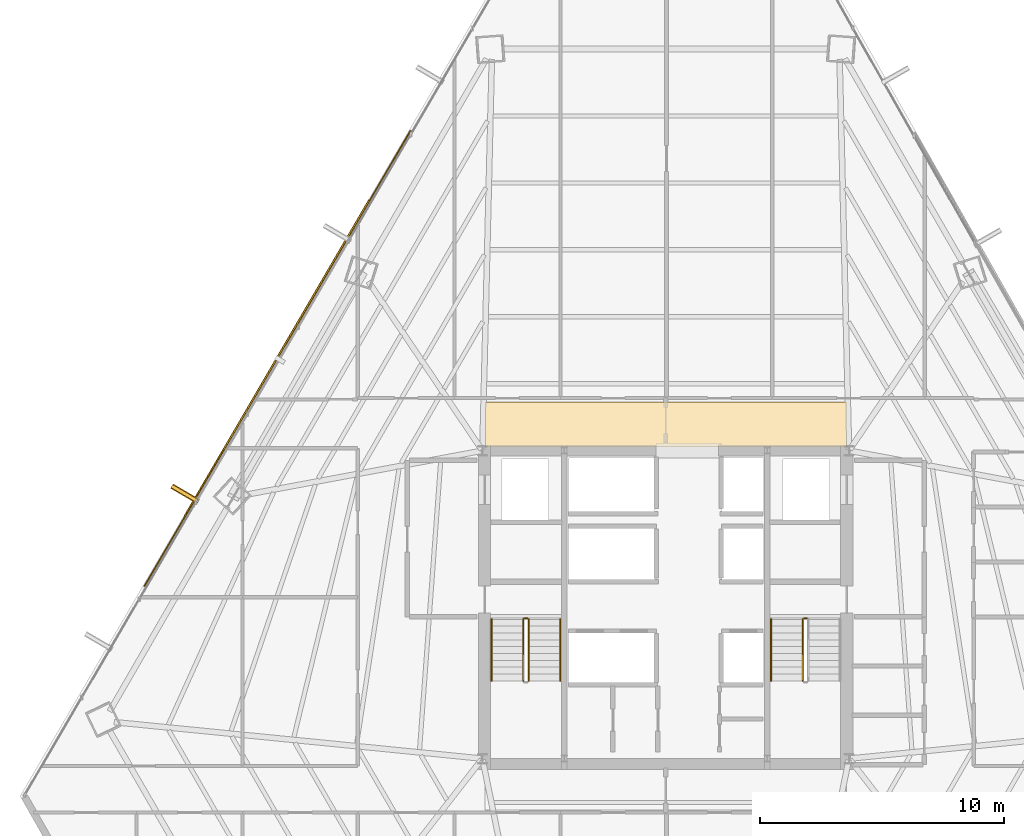
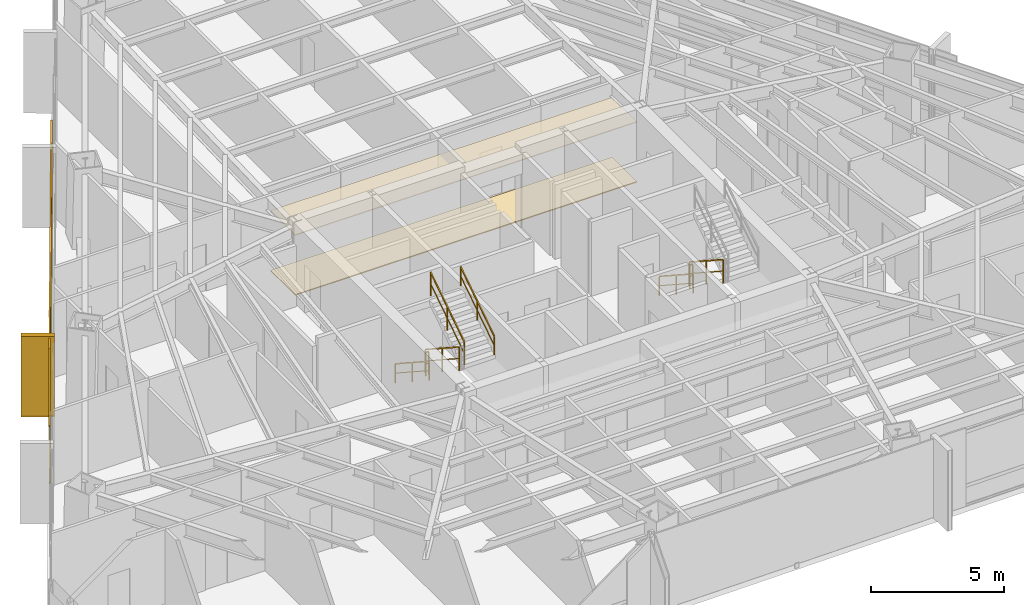
# One storey, part 36 of 37: 8 railings, 4 coverings, 2 shading devices.
"""IFC4 building model written with IfcOpenShell, lengths in metres."""

from ifc_helpers import new_model, si_unit, direction, frame, origin, origin_2d, place, context, subcontext, project, spatial, polyline, rectangle, outline, extrude, source, transform, mapped, material, layer, layer_set, type_object, type_shapes, element, save


model = new_model("IFC4")

# Units and contexts
model_context = context("Model", 3, precision=1e-05, world=origin(), true_north=direction((0.0, 1.0)))
body_context = subcontext(model_context, "Body", "Model", "MODEL_VIEW")
ifc_project = project(units=[si_unit("LENGTHUNIT", "METRE"), si_unit("AREAUNIT", "SQUARE_METRE"), si_unit("VOLUMEUNIT", "CUBIC_METRE"), si_unit("PLANEANGLEUNIT", "RADIAN"), si_unit("MASSUNIT", "GRAM", prefix="KILO")], contexts=[model_context])

# Site, building, storey
site_placement = place(None, origin())
site = spatial("IfcSite", under=ifc_project, at=site_placement, CompositionType="ELEMENT")
building_placement = place(site_placement, origin())
building = spatial("IfcBuilding", under=site, at=building_placement, Name="Caelisora Broadcast Tower", CompositionType="ELEMENT")
storey_placement = place(building_placement, frame((0.0, 0.0, 116.35009765625)))
storey = spatial("IfcBuildingStorey", under=building, at=storey_placement, Name="L30", CompositionType="ELEMENT", Elevation=116.35009765625)

# Coverings
ifc_material_1 = material(Name="Perforated Mineral-Fibre Acoustic Ceiling Tile", Category="gypsum")
ifc_layer_1 = layer(ifc_material_1, 0.034912109375, Name="Perforated Mineral-Fibre Acoustic Ceiling Tile")
ifc_layer_set_1 = layer_set([ifc_layer_1], Name="Perforated Mineral-Fibre Acoustic Ceiling Tile")
covering_type_1 = type_object("IfcCoveringType", Name="CE-1", PredefinedType="CEILING", material=ifc_layer_set_1)
covering_1_placement = place(storey_placement, frame((0.0, 0.0, 2.75)))
element("IfcCovering", 1, at=covering_1_placement, inside=storey, type_object=covering_type_1, Name="L30 acoustic corridor ceiling CE-1 (N)", PredefinedType="CEILING", context=body_context, shape_type="SweptSolid", body=[
    extrude(outline(polyline([(30.60009765625, 30.14990234375), (45.39990234375, 30.14990234375), (45.39990234375, 32.0), (30.60009765625, 32.0), (30.60009765625, 30.14990234375)])), origin(), (0.0, 0.0, 1.0), 0.034912109375),
])
ifc_material_2 = material(Name="Anti-Static Broadcast Raised Access Floor Panel", Category="steel")
ifc_layer_2 = layer(ifc_material_2, 0.044921875, Name="Anti-Static Broadcast Raised Access Floor Panel")
ifc_layer_set_2 = layer_set([ifc_layer_2], Name="Anti-Static Broadcast Raised Access Floor Panel")
covering_type_2 = type_object("IfcCoveringType", Name="FL-1", PredefinedType="FLOORING", material=ifc_layer_set_2)
covering_2_placement = place(storey_placement, origin())
element("IfcCovering", 2, at=covering_2_placement, inside=storey, type_object=covering_type_2, Name="L30 broadcast raised access floor FL-1 (N)", PredefinedType="FLOORING", context=body_context, shape_type="SweptSolid", body=[
    extrude(outline(polyline([(30.60009765625, 30.14990234375), (45.39990234375, 30.14990234375), (45.39990234375, 32.0), (30.60009765625, 32.0), (30.60009765625, 30.14990234375)])), origin(), (0.0, 0.0, 1.0), 0.044921875),
])

# Railings
ifc_material_3 = material(Name="Galvanised Steel Safety Guardrail", Category="steel")
ifc_layer_3 = layer(ifc_material_3, 0.048095703125, Name="Galvanised Steel Safety Guardrail")
ifc_layer_set_3 = layer_set([ifc_layer_3], Name="Galvanised Steel Safety Guardrail")
railing_type_1 = type_object("IfcRailingType", Name="GR-1", PredefinedType="GUARDRAIL", material=ifc_layer_set_3)
railing_1_placement = place(storey_placement, frame((32.169921875, 23.10009765625, 0.182373046875)))
element("IfcRailing", 3, at=railing_1_placement, inside=storey, type_object=railing_type_1, Name="L30 ST-1 stair guard 1", PredefinedType="GUARDRAIL", context=body_context, shape_type="SweptSolid", body=[
    extrude(rectangle(XDim=0.048095703125, YDim=0.048095703125, at=origin_2d()), frame((0.0, 0.0, 1.076171875), z_axis=(0.0, -0.837749427056, 0.546054848405), x_axis=(1.0, 0.0, 0.0)), (0.0, 0.0, 1.0), 3.008056640625),
    extrude(rectangle(XDim=0.03125, YDim=0.03125, at=origin_2d()), frame((0.0, 0.0, 0.550048828125), z_axis=(0.0, -0.837749427056, 0.546054848405), x_axis=(1.0, 0.0, 0.0)), (0.0, 0.0, 1.0), 3.008056640625),
    extrude(rectangle(XDim=0.0419921875, YDim=0.0419921875, at=origin_2d()), origin(), (0.0, 0.0, 1.0), 1.052001953125),
    extrude(rectangle(XDim=0.0419921875, YDim=0.0419921875, at=origin_2d()), frame((0.0, -1.260009765625, 0.8212890625)), (0.0, 0.0, 1.0), 1.052001953125),
    extrude(rectangle(XDim=0.0419921875, YDim=0.0419921875, at=origin_2d()), frame((0.0, -2.52001953125, 1.642578125)), (0.0, 0.0, 1.0), 1.052001953125),
])
railing_2_placement = place(storey_placement, frame((32.389892578125, 20.580078125, 2.00732421875)))
element("IfcRailing", 4, at=railing_2_placement, inside=storey, type_object=railing_type_1, Name="L30 ST-1 stair guard 3", PredefinedType="GUARDRAIL", context=body_context, shape_type="SweptSolid", body=[
    extrude(rectangle(XDim=0.048095703125, YDim=0.048095703125, at=origin_2d()), frame((0.0, 0.0, 1.076171875), z_axis=(0.0, 0.837749427056, 0.546054848405), x_axis=(-1.0, 0.0, 0.0)), (0.0, 0.0, 1.0), 3.008056640625),
    extrude(rectangle(XDim=0.03125, YDim=0.03125, at=origin_2d()), frame((0.0, 0.0, 0.550048828125), z_axis=(0.0, 0.837749427056, 0.546054848405), x_axis=(-1.0, 0.0, 0.0)), (0.0, 0.0, 1.0), 3.008056640625),
    extrude(rectangle(XDim=0.0419921875, YDim=0.0419921875, at=origin_2d()), origin(), (0.0, 0.0, 1.0), 1.052001953125),
    extrude(rectangle(XDim=0.0419921875, YDim=0.0419921875, at=origin_2d()), frame((0.0, 1.260009765625, 0.8212890625)), (0.0, 0.0, 1.0), 1.052001953125),
    extrude(rectangle(XDim=0.0419921875, YDim=0.0419921875, at=origin_2d()), frame((0.0, 2.52001953125, 1.642578125)), (0.0, 0.0, 1.0), 1.052001953125),
])
railing_3_placement = place(storey_placement, frame((32.219970703125, 23.14990234375, 0.0)))
element("IfcRailing", 5, at=railing_3_placement, inside=storey, type_object=railing_type_1, Name="L30 ST-1 stair guard 4", PredefinedType="GUARDRAIL", context=body_context, shape_type="SweptSolid", body=[
    extrude(rectangle(XDim=0.048095703125, YDim=0.048095703125, at=origin_2d()), frame((0.0, 0.0, 1.076171875), z_axis=(1.0, 0.0, 0.0), x_axis=(0.0, 1.0, 0.0)), (0.0, 0.0, 1.0), 0.1201171875),
    extrude(rectangle(XDim=0.03125, YDim=0.03125, at=origin_2d()), frame((0.0, 0.0, 0.550048828125), z_axis=(1.0, 0.0, 0.0), x_axis=(0.0, 1.0, 0.0)), (0.0, 0.0, 1.0), 0.1201171875),
    extrude(rectangle(XDim=0.0419921875, YDim=0.0419921875, at=origin_2d()), origin(), (0.0, 0.0, 1.0), 1.052001953125),
    extrude(rectangle(XDim=0.0419921875, YDim=0.0419921875, at=origin_2d()), frame((0.1201171875, 0.0, 0.0)), (0.0, 0.0, 1.0), 1.052001953125),
])
railing_4_placement = place(storey_placement, frame((43.610107421875, 23.10009765625, 0.182373046875)))
element("IfcRailing", 6, at=railing_4_placement, inside=storey, type_object=railing_type_1, Name="L30 ST-2 stair guard 1", PredefinedType="GUARDRAIL", context=body_context, shape_type="SweptSolid", body=[
    extrude(rectangle(XDim=0.048095703125, YDim=0.048095703125, at=origin_2d()), frame((0.0, 0.0, 1.076171875), z_axis=(0.0, -0.837749427056, 0.546054848405), x_axis=(1.0, 0.0, 0.0)), (0.0, 0.0, 1.0), 3.008056640625),
    extrude(rectangle(XDim=0.03125, YDim=0.03125, at=origin_2d()), frame((0.0, 0.0, 0.550048828125), z_axis=(0.0, -0.837749427056, 0.546054848405), x_axis=(1.0, 0.0, 0.0)), (0.0, 0.0, 1.0), 3.008056640625),
    extrude(rectangle(XDim=0.0419921875, YDim=0.0419921875, at=origin_2d()), origin(), (0.0, 0.0, 1.0), 1.052001953125),
    extrude(rectangle(XDim=0.0419921875, YDim=0.0419921875, at=origin_2d()), frame((0.0, -1.260009765625, 0.8212890625)), (0.0, 0.0, 1.0), 1.052001953125),
    extrude(rectangle(XDim=0.0419921875, YDim=0.0419921875, at=origin_2d()), frame((0.0, -2.52001953125, 1.642578125)), (0.0, 0.0, 1.0), 1.052001953125),
])
railing_5_placement = place(storey_placement, frame((43.659912109375, 23.14990234375, 0.0)))
element("IfcRailing", 7, at=railing_5_placement, inside=storey, type_object=railing_type_1, Name="L30 ST-2 stair guard 4", PredefinedType="GUARDRAIL", context=body_context, shape_type="SweptSolid", body=[
    extrude(rectangle(XDim=0.048095703125, YDim=0.048095703125, at=origin_2d()), frame((0.0, 0.0, 1.076171875), z_axis=(1.0, 0.0, 0.0), x_axis=(0.0, 1.0, 0.0)), (0.0, 0.0, 1.0), 0.1201171875),
    extrude(rectangle(XDim=0.03125, YDim=0.03125, at=origin_2d()), frame((0.0, 0.0, 0.550048828125), z_axis=(1.0, 0.0, 0.0), x_axis=(0.0, 1.0, 0.0)), (0.0, 0.0, 1.0), 0.1201171875),
    extrude(rectangle(XDim=0.0419921875, YDim=0.0419921875, at=origin_2d()), origin(), (0.0, 0.0, 1.0), 1.052001953125),
    extrude(rectangle(XDim=0.0419921875, YDim=0.0419921875, at=origin_2d()), frame((0.1201171875, 0.0, 0.0)), (0.0, 0.0, 1.0), 1.052001953125),
])
ifc_material_4 = material(Name="Stainless Steel Grade 316 Tubular Handrail", Category="steel")
ifc_layer_4 = layer(ifc_material_4, 0.048095703125, Name="Stainless Steel Grade 316 Tubular Handrail")
ifc_layer_set_4 = layer_set([ifc_layer_4], Name="Stainless Steel Grade 316 Tubular Handrail")
railing_type_2 = type_object("IfcRailingType", Name="HR-1", PredefinedType="HANDRAIL", material=ifc_layer_set_4)
railing_6_placement = place(storey_placement, frame((30.8701171875, 23.10009765625, 0.182373046875)))
element("IfcRailing", 8, at=railing_6_placement, inside=storey, type_object=railing_type_2, Name="L30 ST-1 stair handrail 1", PredefinedType="HANDRAIL", context=body_context, shape_type="SweptSolid", body=[
    extrude(rectangle(XDim=0.048095703125, YDim=0.048095703125, at=origin_2d()), frame((0.0, 0.0, 0.8759765625), z_axis=(0.0, -0.837749427056, 0.546054848405), x_axis=(1.0, 0.0, 0.0)), (0.0, 0.0, 1.0), 3.008056640625),
    extrude(rectangle(XDim=0.03125, YDim=0.03125, at=origin_2d()), frame((0.0, 0.0, 0.449951171875), z_axis=(0.0, -0.837749427056, 0.546054848405), x_axis=(1.0, 0.0, 0.0)), (0.0, 0.0, 1.0), 3.008056640625),
    extrude(rectangle(XDim=0.0419921875, YDim=0.0419921875, at=origin_2d()), origin(), (0.0, 0.0, 1.0), 0.851806640625),
    extrude(rectangle(XDim=0.0419921875, YDim=0.0419921875, at=origin_2d()), frame((0.0, -1.260009765625, 0.8212890625)), (0.0, 0.0, 1.0), 0.851806640625),
    extrude(rectangle(XDim=0.0419921875, YDim=0.0419921875, at=origin_2d()), frame((0.0, -2.52001953125, 1.642578125)), (0.0, 0.0, 1.0), 0.851806640625),
])
railing_7_placement = place(storey_placement, frame((33.68994140625, 20.580078125, 2.00732421875)))
element("IfcRailing", 9, at=railing_7_placement, inside=storey, type_object=railing_type_2, Name="L30 ST-1 stair handrail 2", PredefinedType="HANDRAIL", context=body_context, shape_type="SweptSolid", body=[
    extrude(rectangle(XDim=0.048095703125, YDim=0.048095703125, at=origin_2d()), frame((0.0, 0.0, 0.8759765625), z_axis=(0.0, 0.837749427056, 0.546054848405), x_axis=(-1.0, 0.0, 0.0)), (0.0, 0.0, 1.0), 3.008056640625),
    extrude(rectangle(XDim=0.03125, YDim=0.03125, at=origin_2d()), frame((0.0, 0.0, 0.449951171875), z_axis=(0.0, 0.837749427056, 0.546054848405), x_axis=(-1.0, 0.0, 0.0)), (0.0, 0.0, 1.0), 3.008056640625),
    extrude(rectangle(XDim=0.0419921875, YDim=0.0419921875, at=origin_2d()), origin(), (0.0, 0.0, 1.0), 0.851806640625),
    extrude(rectangle(XDim=0.0419921875, YDim=0.0419921875, at=origin_2d()), frame((0.0, 1.260009765625, 0.8212890625)), (0.0, 0.0, 1.0), 0.851806640625),
    extrude(rectangle(XDim=0.0419921875, YDim=0.0419921875, at=origin_2d()), frame((0.0, 2.52001953125, 1.642578125)), (0.0, 0.0, 1.0), 0.851806640625),
])
railing_8_placement = place(storey_placement, frame((42.31005859375, 23.10009765625, 0.182373046875)))
element("IfcRailing", 10, at=railing_8_placement, inside=storey, type_object=railing_type_2, Name="L30 ST-2 stair handrail 1", PredefinedType="HANDRAIL", context=body_context, shape_type="SweptSolid", body=[
    extrude(rectangle(XDim=0.048095703125, YDim=0.048095703125, at=origin_2d()), frame((0.0, 0.0, 0.8759765625), z_axis=(0.0, -0.837749427056, 0.546054848405), x_axis=(1.0, 0.0, 0.0)), (0.0, 0.0, 1.0), 3.008056640625),
    extrude(rectangle(XDim=0.03125, YDim=0.03125, at=origin_2d()), frame((0.0, 0.0, 0.449951171875), z_axis=(0.0, -0.837749427056, 0.546054848405), x_axis=(1.0, 0.0, 0.0)), (0.0, 0.0, 1.0), 3.008056640625),
    extrude(rectangle(XDim=0.0419921875, YDim=0.0419921875, at=origin_2d()), origin(), (0.0, 0.0, 1.0), 0.851806640625),
    extrude(rectangle(XDim=0.0419921875, YDim=0.0419921875, at=origin_2d()), frame((0.0, -1.260009765625, 0.8212890625)), (0.0, 0.0, 1.0), 0.851806640625),
    extrude(rectangle(XDim=0.0419921875, YDim=0.0419921875, at=origin_2d()), frame((0.0, -2.52001953125, 1.642578125)), (0.0, 0.0, 1.0), 0.851806640625),
])

# Covering
ifc_material_5 = material(Name="Kiln-Fired Terracotta Spandrel Rainscreen Cladding", Category="ceramic")
ifc_layer_5 = layer(ifc_material_5, 0.044921875, Name="Kiln-Fired Terracotta Spandrel Rainscreen Cladding")
ifc_layer_set_5 = layer_set([ifc_layer_5], Name="Kiln-Fired Terracotta Spandrel Rainscreen Cladding")
covering_type_3 = type_object("IfcCoveringType", Name="CL-1", PredefinedType="CLADDING", material=ifc_layer_set_5)
shared_shape_1 = source(origin(), body_context, "Body", "SweptSolid", [
    extrude(rectangle(XDim=0.219970703125, YDim=1.25, at=origin_2d()), origin(), (0.0, 0.0, 1.0), 3.68994140625),
])
covering_3_placement = place(storey_placement, frame((18.3310546875, 28.23486328125, -0.02001953125), z_axis=(0.0, 0.0, 1.0), x_axis=(0.504527623815, 0.863395550607, 0.0)))
element("IfcCovering", 11, at=covering_3_placement, inside=storey, type_object=covering_type_3, Name="L30 vertical solar fin cladding #3-2", PredefinedType="CLADDING", context=body_context, shape_type="MappedRepresentation", body=[
    mapped(shared_shape_1, transform((0.0, 0.0, 0.0), scale=1.0)),
])

# Shading devices
ifc_material_6 = material(Name="Extruded Terracotta Flaring Colonnade Fin", Category="ceramic")
ifc_layer_6 = layer(ifc_material_6, 0.139892578125, Name="Extruded Terracotta Flaring Colonnade Fin")
ifc_layer_set_6 = layer_set([ifc_layer_6], Name="Extruded Terracotta Flaring Colonnade Fin")
shading_device_type_1 = type_object("IfcShadingDeviceType", Name="FN-1", PredefinedType="USERDEFINED", material=ifc_layer_set_6)
shared_shape_2 = source(origin(), body_context, "Body", "SweptSolid", [
    extrude(rectangle(XDim=0.139892578125, YDim=1.25, at=origin_2d()), origin(), (0.0, 0.0, 1.0), 3.669921875),
])
type_shapes(shading_device_type_1, [shared_shape_2])
shading_device_1_placement = place(storey_placement, frame((18.3310546875, 28.23486328125, -0.010009765625), z_axis=(0.0, 0.0, 1.0), x_axis=(0.504527623815, 0.863395550607, 0.0)))
element("IfcShadingDevice", 12, at=shading_device_1_placement, inside=storey, type_object=shading_device_type_1, Name="L30 vertical terracotta fin #3-2", ObjectType="FIN", PredefinedType="USERDEFINED", context=body_context, shape_type="MappedRepresentation", body=[
    mapped(shared_shape_2, transform((0.0, 0.0, 0.0), scale=1.0)),
])
ifc_material_7 = material(Name="Perforated Glazed Terracotta Baguette Solar Screen", Category="ceramic")
ifc_layer_7 = layer(ifc_material_7, 0.06494140625, Name="Perforated Glazed Terracotta Baguette Solar Screen")
ifc_layer_set_7 = layer_set([ifc_layer_7], Name="Perforated Glazed Terracotta Baguette Solar Screen")
shading_device_type_2 = type_object("IfcShadingDeviceType", Name="SS-1", PredefinedType="USERDEFINED", material=ifc_layer_set_7)
shared_shape_3 = source(origin(), body_context, "Body", "SweptSolid", [
    extrude(rectangle(XDim=14.95703125, YDim=0.06494140625, at=origin_2d()), origin(), (0.0, 0.0, 1.0), 3.590087890625),
])
type_shapes(shading_device_type_2, [shared_shape_3])
shading_device_2_placement = place(storey_placement, frame((22.093994140625, 33.783203125, 0.0), z_axis=(0.0, 0.0, 1.0), x_axis=(-0.504527623815, -0.863395550607, 0.0)))
element("IfcShadingDevice", 13, at=shading_device_2_placement, inside=storey, type_object=shading_device_type_2, Name="L30 perforated terracotta solar screen #1", ObjectType="SOLAR SCREEN", PredefinedType="USERDEFINED", context=body_context, shape_type="MappedRepresentation", body=[
    mapped(shared_shape_3, transform((0.0, 0.0, 0.0), scale=1.0)),
])

# Covering
shared_shape_4 = source(origin(), body_context, "Body", "SweptSolid", [
    extrude(rectangle(XDim=21.60400390625, YDim=0.044921875, at=origin_2d()), origin(), (0.0, 0.0, 1.0), 0.340087890625),
])
type_shapes(covering_type_3, [shared_shape_1, shared_shape_4])
covering_4_placement = place(storey_placement, frame((22.111328125, 33.773193359375, -0.27001953125), z_axis=(0.0, 0.0, 1.0), x_axis=(-0.504527623815, -0.863395550607, 0.0)))
element("IfcCovering", 14, at=covering_4_placement, inside=storey, type_object=covering_type_3, Name="L30 terracotta spandrel rainscreen #1", PredefinedType="CLADDING", context=body_context, shape_type="MappedRepresentation", body=[
    mapped(shared_shape_4, transform((0.0, 0.0, 0.0), scale=1.0)),
])

save(model, "model.ifc")
